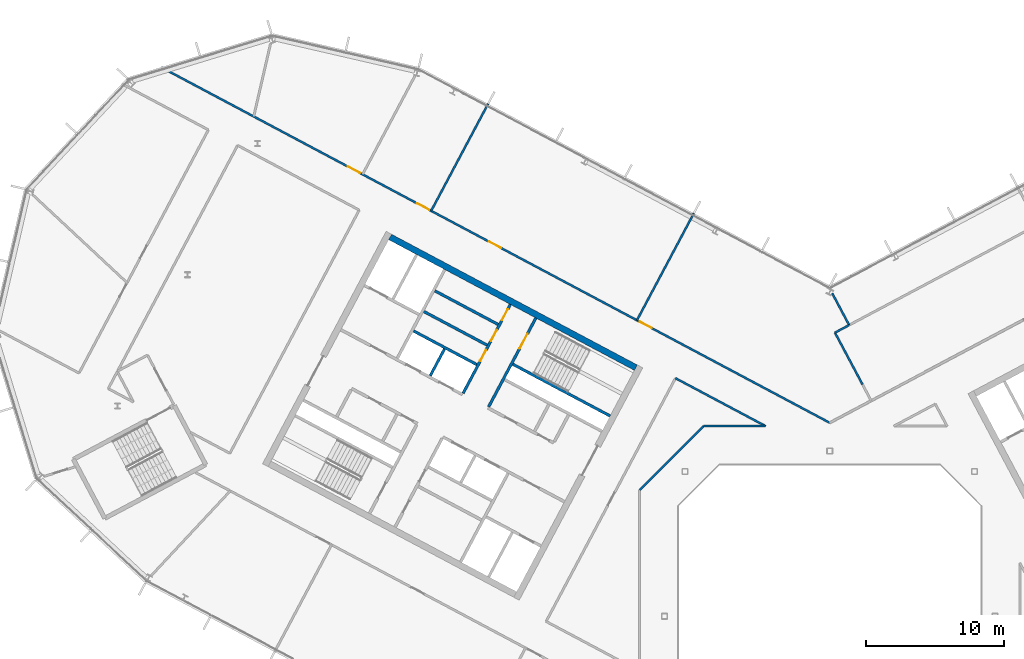
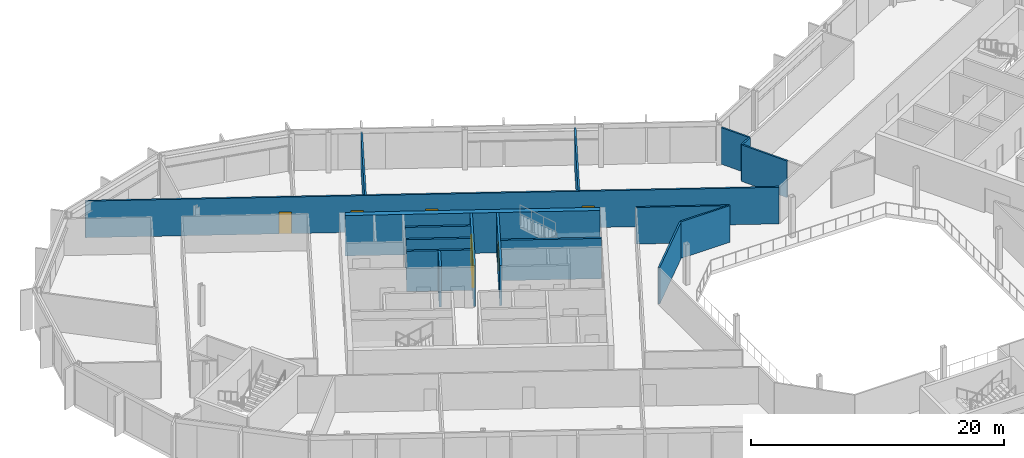
# One storey, part 15 of 26: 17 walls, 8 doors, 8 openings.
"""IFC4 building model written with IfcOpenShell, lengths in metres."""

from ifc_helpers import new_model, si_unit, direction, frame, frame_2d, origin, place, context, subcontext, project, spatial, rectangle, extrude, material, layer, layer_set, type_object, element, fill, save


model = new_model("IFC4")

# Units and contexts
model_context = context("Model", 3, precision=1e-05, world=origin(), true_north=direction((0.0, 1.0)))
body_context = subcontext(model_context, "Body", "Model", "MODEL_VIEW")
ifc_project = project(units=[si_unit("LENGTHUNIT", "METRE"), si_unit("AREAUNIT", "SQUARE_METRE"), si_unit("VOLUMEUNIT", "CUBIC_METRE"), si_unit("PLANEANGLEUNIT", "RADIAN"), si_unit("MASSUNIT", "GRAM", prefix="KILO")], contexts=[model_context])

# Site, building, storey
site_placement = place(None, origin())
site = spatial("IfcSite", under=ifc_project, at=site_placement, CompositionType="ELEMENT")
building_placement = place(site_placement, origin())
building = spatial("IfcBuilding", under=site, at=building_placement, Name="Cormorant Relay Tower", CompositionType="ELEMENT")
storey_placement = place(building_placement, frame((0.0, 0.0, 304.800048828125)))
storey = spatial("IfcBuildingStorey", under=building, at=storey_placement, Name="L69", CompositionType="ELEMENT", Elevation=304.800048828125)

# Walls
ifc_material_1 = material(Name="Concrete 40 MPa", Category="concrete")
ifc_layer_1 = layer(ifc_material_1, 0.199951171875)
ifc_layer_set_1 = layer_set([ifc_layer_1], Name="Core internal wall 200")
wall_type_1 = type_object("IfcWallType", Name="Core internal wall 200", PredefinedType="SOLIDWALL", material=ifc_layer_set_1)
wall_1_placement = place(storey_placement, frame((-27.9658203125, 19.39990234375, 0.0), z_axis=(0.0, 0.0, 1.0), x_axis=(-0.4694473164, -0.882960484464, 0.0)))
element("IfcWall", 1, at=wall_1_placement, inside=storey, type_object=wall_type_1, Name="L69 core A shaft and room wall", PredefinedType="SOLIDWALL", context=body_context, shape_type="SweptSolid", body=[
    extrude(rectangle(XDim=2.199951171875, YDim=0.199951171875, at=frame_2d((1.10009765625, 0.0))), origin(), (0.0, 0.0, 1.0), 3.89990234375),
])
for number, where, z_axis, x_axis, name in (
    (2, (-24.073974609375, 21.181396484375, 0.0), (0.0, 0.0, 1.0), (-0.882953967957, 0.469459572775, 0.0), "L69 core A shaft and room wall"),
    (3, (-24.8720703125, 19.680419921875, 0.0), (0.0, 0.0, 1.0), (-0.882953967957, 0.469459572775, 0.0), "L69 core A shaft and room wall"),
):
    element("IfcWall", number, at=place(storey_placement, frame(where, z_axis=z_axis, x_axis=x_axis)), inside=storey, type_object=wall_type_1, Name=name, PredefinedType="SOLIDWALL", context=body_context, shape_type="SweptSolid", body=[
        extrude(rectangle(XDim=5.199951171875, YDim=0.199951171875, at=frame_2d((2.60009765625, 0.0))), origin(), (0.0, 0.0, 1.0), 3.89990234375),
    ])

# Wall, opening, door
ifc_material_2 = material(Name="Concrete 50 MPa", Category="concrete")
ifc_layer_2 = layer(ifc_material_2, 0.199951171875)
ifc_layer_set_2 = layer_set([ifc_layer_2], Name="Core shaft wall 200")
wall_type_2 = type_object("IfcWallType", Name="Core shaft wall 200", PredefinedType="SHEAR", material=ifc_layer_set_2)
wall_2_placement = place(storey_placement, frame((-21.333251953125, 21.6494140625, 0.0), z_axis=(0.0, 0.0, 1.0), x_axis=(-0.469494272526, -0.882935517501, 0.0)))
wall_2 = element("IfcWall", 4, at=wall_2_placement, inside=storey, type_object=wall_type_2, Name="L69 core A shaft wall", PredefinedType="SHEAR", context=body_context, shape_type="SweptSolid", body=[
    extrude(rectangle(XDim=7.2998046875, YDim=0.199951171875, at=frame_2d((3.64990234375, 0.0))), origin(), (0.0, 0.0, 1.0), 3.89990234375),
])
opening_1_placement = place(wall_2_placement, frame((1.300048828125, 0.0, 0.0)))
opening_1 = element("IfcOpeningElement", 5, at=opening_1_placement, cuts=wall_2, Name="Opening CDB-038", PredefinedType="OPENING", context=body_context, shape_type="SweptSolid", body=[
    extrude(rectangle(XDim=1.199951171875, YDim=2.10009765625, at=frame_2d((0.60009765625, 1.050048828125))), frame((0.0, 0.10986328125, 0.0), z_axis=(0.0, -1.0, 0.0), x_axis=(1.0, 0.0, 0.0)), (0.0, 0.0, 1.0), 0.219970703125),
])
ifc_material_3 = material(Name="Steel fire door", Category="steel")
door_type_1 = type_object("IfcDoorType", Name="Core stair door 1200x2100", OperationType="SINGLE_SWING_LEFT", PredefinedType="DOOR", material=ifc_material_3)
door_1_placement = place(opening_1_placement, origin())
door_1 = element("IfcDoor", 6, at=door_1_placement, inside=storey, type_object=door_type_1, Name="Core stair door 1200x2100", OperationType="SINGLE_SWING_RIGHT", OverallHeight=2.10009765625, OverallWidth=1.199951171875, PredefinedType="DOOR", context=body_context, shape_type="SweptSolid", body=[
    extrude(rectangle(XDim=1.199951171875, YDim=2.10009765625, at=frame_2d((0.60009765625, 1.050048828125))), frame((0.0, 0.02490234375, 0.0), z_axis=(0.0, -1.0, 0.0), x_axis=(1.0, 0.0, 0.0)), (0.0, 0.0, 1.0), 0.050048828125),
])
fill(opening_1, door_1)

# Wall, openings, doors
wall_3_placement = place(storey_placement, frame((-23.1875, 22.635498046875, 0.0), z_axis=(0.0, 0.0, 1.0), x_axis=(-0.469454336211, -0.882956752176, 0.0)))
wall_3 = element("IfcWall", 7, at=wall_3_placement, inside=storey, type_object=wall_type_2, Name="L69 core A shaft wall", PredefinedType="SHEAR", context=body_context, shape_type="SweptSolid", body=[
    extrude(rectangle(XDim=7.300048828125, YDim=0.199951171875, at=frame_2d((3.64990234375, 0.0))), origin(), (0.0, 0.0, 1.0), 3.89990234375),
])
opening_2_placement = place(wall_3_placement, frame((0.39990234375, 0.0, 0.0)))
opening_2 = element("IfcOpeningElement", 8, at=opening_2_placement, cuts=wall_3, Name="Opening CDD-340", PredefinedType="OPENING", context=body_context, shape_type="SweptSolid", body=[
    extrude(rectangle(XDim=0.89990234375, YDim=2.10009765625, at=frame_2d((0.449951171875, 1.050048828125))), frame((0.0, 0.10986328125, 0.0), z_axis=(0.0, -1.0, 0.0), x_axis=(1.0, 0.0, 0.0)), (0.0, 0.0, 1.0), 0.219970703125),
])
opening_3_placement = place(wall_3_placement, frame((2.10009765625, 0.0, 0.0)))
opening_3 = element("IfcOpeningElement", 9, at=opening_3_placement, cuts=wall_3, Name="Opening CDD-341", PredefinedType="OPENING", context=body_context, shape_type="SweptSolid", body=[
    extrude(rectangle(XDim=0.89990234375, YDim=2.10009765625, at=frame_2d((0.449951171875, 1.050048828125))), frame((0.0, 0.10986328125, 0.0), z_axis=(0.0, -1.0, 0.0), x_axis=(1.0, 0.0, 0.0)), (0.0, 0.0, 1.0), 0.219970703125),
])
opening_4_placement = place(wall_3_placement, frame((3.75, 0.0, 0.0)))
opening_4 = element("IfcOpeningElement", 10, at=opening_4_placement, cuts=wall_3, Name="Opening CDD-240", PredefinedType="OPENING", context=body_context, shape_type="SweptSolid", body=[
    extrude(rectangle(XDim=0.89990234375, YDim=2.10009765625, at=frame_2d((0.449951171875, 1.050048828125))), frame((0.0, 0.10986328125, 0.0), z_axis=(0.0, -1.0, 0.0), x_axis=(1.0, 0.0, 0.0)), (0.0, 0.0, 1.0), 0.219970703125),
])
ifc_material_4 = material(Name="Steel fire door", Category="steel")
door_type_2 = type_object("IfcDoorType", Name="Core room door 900x2100", OperationType="SINGLE_SWING_LEFT", PredefinedType="DOOR", material=ifc_material_4)
door_2_placement = place(opening_2_placement, frame((0.89990234375, 0.0, 0.0), z_axis=(0.0, 0.0, 1.0), x_axis=(-1.0, 0.0, 0.0)))
door_2 = element("IfcDoor", 11, at=door_2_placement, inside=storey, type_object=door_type_2, Name="Core room door 900x2100", OperationType="SINGLE_SWING_LEFT", OverallHeight=2.10009765625, OverallWidth=0.89990234375, PredefinedType="DOOR", context=body_context, shape_type="SweptSolid", body=[
    extrude(rectangle(XDim=0.89990234375, YDim=2.10009765625, at=frame_2d((0.449951171875, 1.050048828125))), frame((0.0, 0.02490234375, 0.0), z_axis=(0.0, -1.0, 0.0), x_axis=(1.0, 0.0, 0.0)), (0.0, 0.0, 1.0), 0.050048828125),
])
fill(opening_2, door_2)
door_3_placement = place(opening_3_placement, frame((0.89990234375, 0.0, 0.0), z_axis=(0.0, 0.0, 1.0), x_axis=(-1.0, 0.0, 0.0)))
door_3 = element("IfcDoor", 12, at=door_3_placement, inside=storey, type_object=door_type_2, Name="Core room door 900x2100", OperationType="SINGLE_SWING_RIGHT", OverallHeight=2.10009765625, OverallWidth=0.89990234375, PredefinedType="DOOR", context=body_context, shape_type="SweptSolid", body=[
    extrude(rectangle(XDim=0.89990234375, YDim=2.10009765625, at=frame_2d((0.449951171875, 1.050048828125))), frame((0.0, 0.02490234375, 0.0), z_axis=(0.0, -1.0, 0.0), x_axis=(1.0, 0.0, 0.0)), (0.0, 0.0, 1.0), 0.050048828125),
])
fill(opening_3, door_3)
door_4_placement = place(opening_4_placement, frame((0.89990234375, 0.0, 0.0), z_axis=(0.0, 0.0, 1.0), x_axis=(-1.0, 0.0, 0.0)))
door_4 = element("IfcDoor", 13, at=door_4_placement, inside=storey, type_object=door_type_2, Name="Core room door 900x2100", OperationType="SINGLE_SWING_RIGHT", OverallHeight=2.10009765625, OverallWidth=0.89990234375, PredefinedType="DOOR", context=body_context, shape_type="SweptSolid", body=[
    extrude(rectangle(XDim=0.89990234375, YDim=2.10009765625, at=frame_2d((0.449951171875, 1.050048828125))), frame((0.0, 0.02490234375, 0.0), z_axis=(0.0, -1.0, 0.0), x_axis=(1.0, 0.0, 0.0)), (0.0, 0.0, 1.0), 0.050048828125),
])
fill(opening_4, door_4)

# Walls
wall_4_placement = place(storey_placement, frame((-15.94189453125, 14.53564453125, 0.0), z_axis=(0.0, 0.0, 1.0), x_axis=(-0.882946947542, 0.469472776449, 0.0)))
element("IfcWall", 14, at=wall_4_placement, inside=storey, type_object=wall_type_2, Name="L69 core A shaft wall", PredefinedType="SHEAR", context=body_context, shape_type="SweptSolid", body=[
    extrude(rectangle(XDim=8.000244140625, YDim=0.199951171875, at=frame_2d((4.0, 0.0))), origin(), (0.0, 0.0, 1.0), 3.89990234375),
])
wall_5_placement = place(storey_placement, frame((-25.623046875, 18.267578125, 0.0), z_axis=(0.0, 0.0, 1.0), x_axis=(-0.882953967957, 0.469459572775, 0.0)))
element("IfcWall", 15, at=wall_5_placement, inside=storey, type_object=wall_type_2, Name="L69 core A shaft wall", PredefinedType="SHEAR", context=body_context, shape_type="SweptSolid", body=[
    extrude(rectangle(XDim=5.199951171875, YDim=0.199951171875, at=frame_2d((2.60009765625, 0.0))), origin(), (0.0, 0.0, 1.0), 3.89990234375),
])
ifc_material_5 = material(Name="Concrete 50 MPa", Category="concrete")
ifc_layer_3 = layer(ifc_material_5, 0.449951171875)
ifc_layer_set_3 = layer_set([ifc_layer_3], Name="Core wall 450")
wall_type_3 = type_object("IfcWallType", Name="Core wall 450", PredefinedType="SHEAR", material=ifc_layer_set_3)
wall_6_placement = place(storey_placement, frame((-14.07568359375, 18.04541015625, 0.0), z_axis=(0.0, 0.0, 1.0), x_axis=(-0.882947755831, 0.46947125628, 0.0)))
element("IfcWall", 16, at=wall_6_placement, inside=storey, type_object=wall_type_3, Name="L69 core A wall", PredefinedType="SHEAR", context=body_context, shape_type="SweptSolid", body=[
    extrude(rectangle(XDim=20.2001953125, YDim=0.449951171875, at=frame_2d((10.10009765625, 0.0))), origin(), (0.0, 0.0, 1.0), 3.89990234375),
])

# Wall, openings, doors
ifc_material_6 = material(Name="Gypsum board fire partition")
ifc_layer_4 = layer(ifc_material_6, 0.14990234375)
ifc_layer_set_4 = layer_set([ifc_layer_4], Name="Corridor partition 150 EI 60")
wall_type_4 = type_object("IfcWallType", Name="Corridor partition 150 EI 60", PredefinedType="PARTITIONING", material=ifc_layer_set_4)
wall_7_placement = place(storey_placement, frame((-48.541015625, 39.85400390625, 0.0), z_axis=(0.0, 0.0, 1.0), x_axis=(0.882945008423, -0.469476423372, 0.0)))
wall_7 = element("IfcWall", 17, at=wall_7_placement, inside=storey, type_object=wall_type_4, Name="wall/L69/part/008", PredefinedType="PARTITIONING", context=body_context, shape_type="SweptSolid", body=[
    extrude(rectangle(XDim=54.976318359375, YDim=0.14990234375, at=frame_2d((27.48828125, 0.0))), origin(), (0.0, 0.0, 1.0), 3.5400390625),
])
opening_5_placement = place(wall_7_placement, frame((39.35009765625, 0.0, 0.0)))
opening_5 = element("IfcOpeningElement", 18, at=opening_5_placement, cuts=wall_7, Name="Opening DS-240", PredefinedType="OPENING", context=body_context, shape_type="SweptSolid", body=[
    extrude(rectangle(XDim=1.0, YDim=2.10009765625, at=frame_2d((0.5, 1.050048828125))), frame((0.0, 0.0849609375, 0.0), z_axis=(0.0, -1.0, 0.0), x_axis=(1.0, 0.0, 0.0)), (0.0, 0.0, 1.0), 0.169921875),
])
opening_6_placement = place(wall_7_placement, frame((26.949951171875, 0.0, 0.0)))
opening_6 = element("IfcOpeningElement", 19, at=opening_6_placement, cuts=wall_7, Name="Opening DS-241", PredefinedType="OPENING", context=body_context, shape_type="SweptSolid", body=[
    extrude(rectangle(XDim=1.0, YDim=2.10009765625, at=frame_2d((0.5, 1.050048828125))), frame((0.0, 0.0849609375, 0.0), z_axis=(0.0, -1.0, 0.0), x_axis=(1.0, 0.0, 0.0)), (0.0, 0.0, 1.0), 0.169921875),
])
opening_7_placement = place(wall_7_placement, frame((21.049072265625, 0.0, 0.0)))
opening_7 = element("IfcOpeningElement", 20, at=opening_7_placement, cuts=wall_7, Name="Opening DS-242", PredefinedType="OPENING", context=body_context, shape_type="SweptSolid", body=[
    extrude(rectangle(XDim=1.0, YDim=2.10009765625, at=frame_2d((0.5, 1.050048828125))), frame((0.0, 0.0849609375, 0.0), z_axis=(0.0, -1.0, 0.0), x_axis=(1.0, 0.0, 0.0)), (0.0, 0.0, 1.0), 0.169921875),
])
opening_8_placement = place(wall_7_placement, frame((15.35009765625, 0.0, 0.0)))
opening_8 = element("IfcOpeningElement", 21, at=opening_8_placement, cuts=wall_7, Name="Opening DS-120", PredefinedType="OPENING", context=body_context, shape_type="SweptSolid", body=[
    extrude(rectangle(XDim=1.0, YDim=2.10009765625, at=frame_2d((0.5, 1.050048828125))), frame((0.0, 0.0849609375, 0.0), z_axis=(0.0, -1.0, 0.0), x_axis=(1.0, 0.0, 0.0)), (0.0, 0.0, 1.0), 0.169921875),
])
ifc_material_7 = material(Name="Timber door leaf", Category="wood")
door_type_3 = type_object("IfcDoorType", Name="Suite door 1000x2100", OperationType="SINGLE_SWING_LEFT", PredefinedType="DOOR", material=ifc_material_7)
door_5_placement = place(opening_5_placement, frame((1.0, 0.0, 0.0), z_axis=(0.0, 0.0, 1.0), x_axis=(-1.0, 0.0, 0.0)))
door_5 = element("IfcDoor", 22, at=door_5_placement, inside=storey, type_object=door_type_3, Name="door/L69/013", OperationType="SINGLE_SWING_LEFT", OverallHeight=2.10009765625, OverallWidth=1.0, PredefinedType="DOOR", context=body_context, shape_type="SweptSolid", body=[
    extrude(rectangle(XDim=1.0, YDim=2.10009765625, at=frame_2d((0.5, 1.050048828125))), frame((0.0, 0.02490234375, 0.0), z_axis=(0.0, -1.0, 0.0), x_axis=(1.0, 0.0, 0.0)), (0.0, 0.0, 1.0), 0.050048828125),
])
fill(opening_5, door_5)
door_6_placement = place(opening_6_placement, frame((1.0, 0.0, 0.0), z_axis=(0.0, 0.0, 1.0), x_axis=(-1.0, 0.0, 0.0)))
door_6 = element("IfcDoor", 23, at=door_6_placement, inside=storey, type_object=door_type_3, Name="door/L69/014", OperationType="SINGLE_SWING_LEFT", OverallHeight=2.10009765625, OverallWidth=1.0, PredefinedType="DOOR", context=body_context, shape_type="SweptSolid", body=[
    extrude(rectangle(XDim=1.0, YDim=2.10009765625, at=frame_2d((0.5, 1.050048828125))), frame((0.0, 0.02490234375, 0.0), z_axis=(0.0, -1.0, 0.0), x_axis=(1.0, 0.0, 0.0)), (0.0, 0.0, 1.0), 0.050048828125),
])
fill(opening_6, door_6)
door_7_placement = place(opening_7_placement, frame((1.0, 0.0, 0.0), z_axis=(0.0, 0.0, 1.0), x_axis=(-1.0, 0.0, 0.0)))
door_7 = element("IfcDoor", 24, at=door_7_placement, inside=storey, type_object=door_type_3, Name="door/L69/015", OperationType="SINGLE_SWING_LEFT", OverallHeight=2.10009765625, OverallWidth=1.0, PredefinedType="DOOR", context=body_context, shape_type="SweptSolid", body=[
    extrude(rectangle(XDim=1.0, YDim=2.10009765625, at=frame_2d((0.5, 1.050048828125))), frame((0.0, 0.02490234375, 0.0), z_axis=(0.0, -1.0, 0.0), x_axis=(1.0, 0.0, 0.0)), (0.0, 0.0, 1.0), 0.050048828125),
])
fill(opening_7, door_7)
door_8_placement = place(opening_8_placement, origin())
door_8 = element("IfcDoor", 25, at=door_8_placement, inside=storey, type_object=door_type_3, Name="door/L69/016", OperationType="SINGLE_SWING_RIGHT", OverallHeight=2.10009765625, OverallWidth=1.0, PredefinedType="DOOR", context=body_context, shape_type="SweptSolid", body=[
    extrude(rectangle(XDim=1.0, YDim=2.10009765625, at=frame_2d((0.5, 1.050048828125))), frame((0.0, 0.02490234375, 0.0), z_axis=(0.0, -1.0, 0.0), x_axis=(1.0, 0.0, 0.0)), (0.0, 0.0, 1.0), 0.050048828125),
])
fill(opening_8, door_8)

# Walls
wall_8_placement = place(storey_placement, frame((-11.197998046875, 17.280029296875, 0.0), z_axis=(0.0, 0.0, 1.0), x_axis=(0.88294849999, -0.469469856717, 0.0)))
element("IfcWall", 26, at=wall_8_placement, inside=storey, type_object=wall_type_4, Name="wall/L69/part/047", PredefinedType="PARTITIONING", context=body_context, shape_type="SweptSolid", body=[
    extrude(rectangle(XDim=7.41259765625, YDim=0.14990234375, at=frame_2d((3.706298828125, 0.0))), origin(), (0.0, 0.0, 1.0), 3.5400390625),
])
wall_9_placement = place(storey_placement, frame((-4.653076171875, 13.800048828125, 0.0), z_axis=(0.0, 0.0, 1.0), x_axis=(-1.0, 0.0, 0.0)))
element("IfcWall", 27, at=wall_9_placement, inside=storey, type_object=wall_type_4, Name="wall/L69/part/048", PredefinedType="PARTITIONING", context=body_context, shape_type="SweptSolid", body=[
    extrude(rectangle(XDim=4.5068359375, YDim=0.14990234375, at=frame_2d((2.25341796875, 0.0))), origin(), (0.0, 0.0, 1.0), 3.5400390625),
])
wall_10_placement = place(storey_placement, frame((-9.159912109375, 13.800048828125, 0.0), z_axis=(0.0, 0.0, 1.0), x_axis=(-0.707106781187, -0.707106781187, 0.0)))
element("IfcWall", 28, at=wall_10_placement, inside=storey, type_object=wall_type_4, Name="wall/L69/part/049", PredefinedType="PARTITIONING", context=body_context, shape_type="SweptSolid", body=[
    extrude(rectangle(XDim=6.562255859375, YDim=0.14990234375, at=frame_2d((3.28125, 0.0))), origin(), (0.0, 0.0, 1.0), 3.5400390625),
])
ifc_material_8 = material(Name="Gypsum board partition")
ifc_layer_5 = layer(ifc_material_8, 0.14990234375)
ifc_layer_set_5 = layer_set([ifc_layer_5], Name="Tenant partition 150")
wall_type_5 = type_object("IfcWallType", Name="Tenant partition 150", PredefinedType="PARTITIONING", material=ifc_layer_set_5)
wall_11_placement = place(storey_placement, frame((-24.800048828125, 37.197021484375, 0.0), z_axis=(0.0, 0.0, 1.0), x_axis=(-0.469510830369, -0.882926712794, 0.0)))
element("IfcWall", 29, at=wall_11_placement, inside=storey, type_object=wall_type_5, Name="wall/L69/part/020", PredefinedType="PARTITIONING", context=body_context, shape_type="SweptSolid", body=[
    extrude(rectangle(XDim=8.80029296875, YDim=0.14990234375, at=frame_2d((4.400146484375, 0.0))), origin(), (0.0, 0.0, 1.0), 3.5400390625),
])
wall_12_placement = place(storey_placement, frame((-9.864013671875, 29.2548828125, 0.0), z_axis=(0.0, 0.0, 1.0), x_axis=(-0.469457446168, -0.882955098653, 0.0)))
element("IfcWall", 30, at=wall_12_placement, inside=storey, type_object=wall_type_5, Name="wall/L69/part/021", PredefinedType="PARTITIONING", context=body_context, shape_type="SweptSolid", body=[
    extrude(rectangle(XDim=8.7998046875, YDim=0.14990234375, at=frame_2d((4.39990234375, 0.0))), origin(), (0.0, 0.0, 1.0), 3.5400390625),
])
wall_13_placement = place(storey_placement, frame((0.177978515625, 23.449951171875, 0.0), z_axis=(0.0, 0.0, 1.0), x_axis=(0.469495603372, -0.882934809833, 0.0)))
element("IfcWall", 31, at=wall_13_placement, inside=storey, type_object=wall_type_5, Name="wall/L69/part/028", PredefinedType="PARTITIONING", context=body_context, shape_type="SweptSolid", body=[
    extrude(rectangle(XDim=2.621826171875, YDim=0.14990234375, at=frame_2d((1.31103515625, 0.0))), origin(), (0.0, 0.0, 1.0), 3.5400390625),
])
wall_14_placement = place(storey_placement, frame((2.3798828125, 16.824951171875, 0.0), z_axis=(0.0, 0.0, 1.0), x_axis=(-0.469505616232, 0.882929485478, 0.0)))
element("IfcWall", 32, at=wall_14_placement, inside=storey, type_object=wall_type_5, Name="wall/L69/part/031", PredefinedType="PARTITIONING", context=body_context, shape_type="SweptSolid", body=[
    extrude(rectangle(XDim=4.261962890625, YDim=0.14990234375, at=frame_2d((2.130859375, 0.0))), origin(), (0.0, 0.0, 1.0), 3.5400390625),
])
wall_15_placement = place(storey_placement, frame((1.405029296875, 21.133056640625, 0.0), z_axis=(0.0, 0.0, 1.0), x_axis=(-0.882753784089, -0.469835882704, 0.0)))
element("IfcWall", 33, at=wall_15_placement, inside=storey, type_object=wall_type_5, Name="wall/L69/part/032", PredefinedType="PARTITIONING", context=body_context, shape_type="SweptSolid", body=[
    extrude(rectangle(XDim=1.162353515625, YDim=0.14990234375, at=frame_2d((0.5810546875, 0.0))), origin(), (0.0, 0.0, 1.0), 3.5400390625),
])

save(model, "model.ifc")
